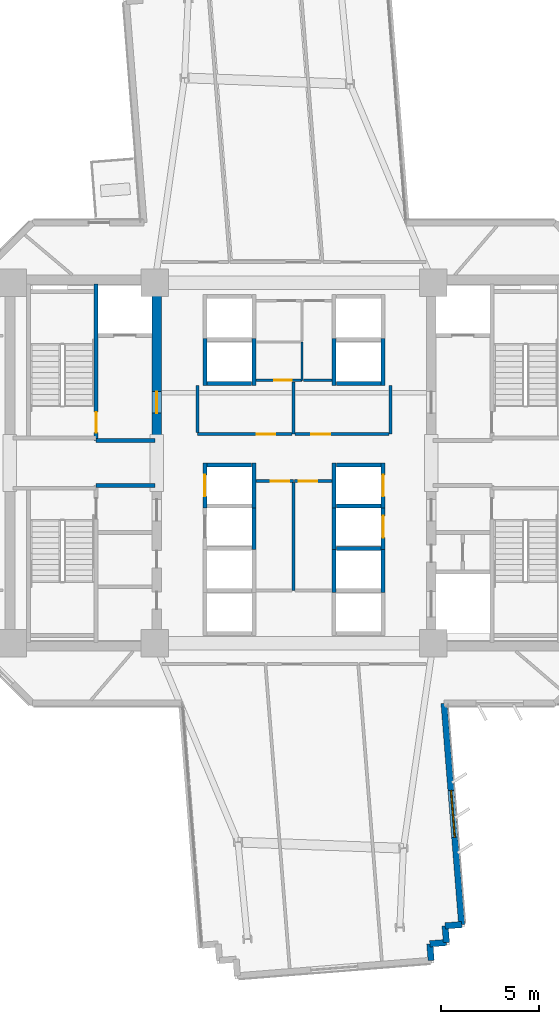
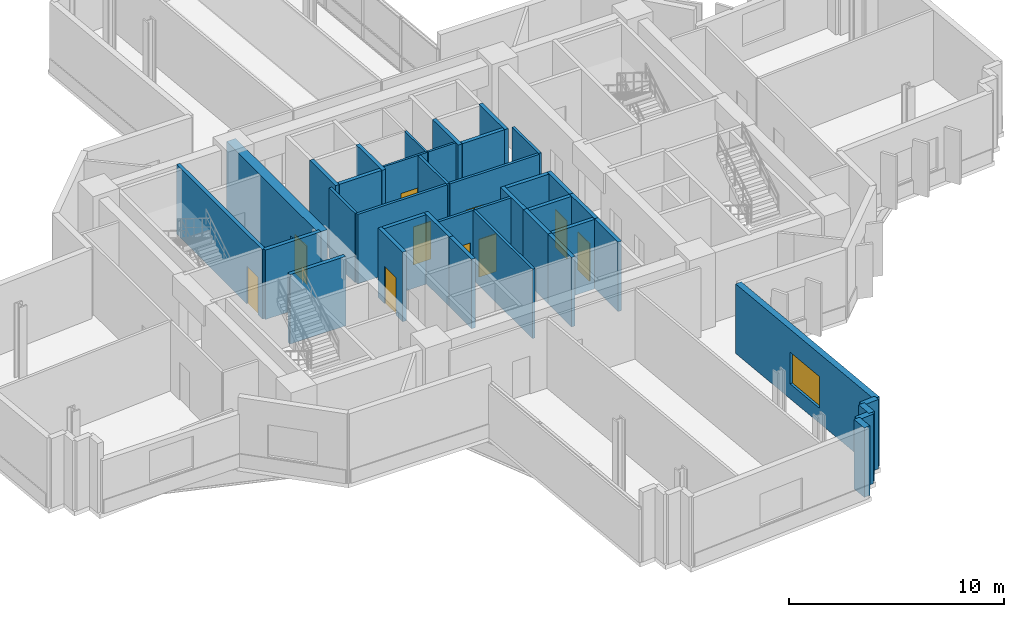
# One storey, part 7 of 15: 39 walls, 10 doors, 1 window, 11 openings.
"""IFC4 building model written with IfcOpenShell, lengths in metres."""

from ifc_helpers import new_model, si_unit, direction, frame, frame_2d, origin, place, context, subcontext, project, spatial, rectangle, extrude, source, transform, mapped, material, layer, layer_set, type_object, element, fill, save


model = new_model("IFC4")

# Units and contexts
model_context = context("Model", 3, precision=1e-05, world=origin(), true_north=direction((0.0, 1.0)))
body_context = subcontext(model_context, "Body", "Model", "MODEL_VIEW")
ifc_project = project(units=[si_unit("LENGTHUNIT", "METRE"), si_unit("AREAUNIT", "SQUARE_METRE"), si_unit("VOLUMEUNIT", "CUBIC_METRE"), si_unit("PLANEANGLEUNIT", "RADIAN"), si_unit("MASSUNIT", "GRAM", prefix="KILO")], contexts=[model_context])

# Site, building, storey
site_placement = place(None, origin())
site = spatial("IfcSite", under=ifc_project, at=site_placement, CompositionType="ELEMENT")
building_placement = place(site_placement, origin())
building = spatial("IfcBuilding", under=site, at=building_placement, Name="Zahravan Cultural Tower", CompositionType="ELEMENT")
storey_placement = place(building_placement, frame((0.0, 0.0, 83.699951171875)))
storey = spatial("IfcBuildingStorey", under=building, at=storey_placement, Name="L18", CompositionType="ELEMENT", Elevation=83.699951171875)

# Wall, opening, door
ifc_material_1 = material(Name="Concrete C60/75", Category="concrete")
ifc_layer_1 = layer(ifc_material_1, 0.5)
ifc_layer_set_1 = layer_set([ifc_layer_1], Name="Concrete C60/75")
wall_type_1 = type_object("IfcWallType", Name="CW-SHEAR-500-C60", PredefinedType="SHEAR", material=ifc_layer_set_1)
wall_1_placement = place(storey_placement, frame((29.0, 28.050048828125, 0.0), z_axis=(0.0, 0.0, 1.0), x_axis=(0.0, 1.0, 0.0)))
wall_1 = element("IfcWall", 1, at=wall_1_placement, inside=storey, type_object=wall_type_1, Name="L18 Core Shear Wall CW-W-EN-L18", PredefinedType="SHEAR", context=body_context, shape_type="SweptSolid", body=[
    extrude(rectangle(XDim=8.550048828125, YDim=0.5, at=frame_2d((4.27490234375, 0.0))), origin(), (0.0, 0.0, 1.0), 3.949951171875),
])
opening_1_placement = place(wall_1_placement, frame((1.5, 0.0, 0.0)))
opening_1 = element("IfcOpeningElement", 2, at=opening_1_placement, cuts=wall_1, Name="Opening D-L18-05", PredefinedType="OPENING", context=body_context, shape_type="SweptSolid", body=[
    extrude(rectangle(XDim=1.10009765625, YDim=2.199951171875, at=frame_2d((0.550048828125, 1.10009765625))), frame((0.0, 0.260009765625, 0.0), z_axis=(0.0, -1.0, 0.0), x_axis=(1.0, 0.0, 0.0)), (0.0, 0.0, 1.0), 0.52001953125),
])
ifc_material_2 = material(Name="Steel ASTM A572 Grade 50", Category="steel")
door_type_1 = type_object("IfcDoorType", Name="DR-LOBBY-1100", OperationType="NOTDEFINED", PredefinedType="DOOR", material=ifc_material_2)
shared_shape_1 = source(origin(), body_context, "Body", "SweptSolid", [
    extrude(rectangle(XDim=1.10009765625, YDim=2.199951171875, at=frame_2d((0.550048828125, 1.10009765625))), frame((0.0, 0.02490234375, 0.0), z_axis=(0.0, -1.0, 0.0), x_axis=(1.0, 0.0, 0.0)), (0.0, 0.0, 1.0), 0.050048828125),
])
door_1_placement = place(opening_1_placement, origin())
door_1 = element("IfcDoor", 3, at=door_1_placement, inside=storey, type_object=door_type_1, Name="L18 Door D-L18-05", OperationType="SINGLE_SWING_RIGHT", OverallHeight=2.199951171875, OverallWidth=1.10009765625, PredefinedType="DOOR", context=body_context, shape_type="MappedRepresentation", body=[
    mapped(shared_shape_1, transform((0.0, 0.0, 0.0), x_axis=(1.0, 0.0, 0.0), y_axis=(0.0, 1.0, 0.0), z_axis=(0.0, 0.0, 1.0), scale=1.0)),
])
fill(opening_1, door_1)

# Wall, opening, window
ifc_material_3 = material(Name="Precast concrete C40/50", Category="concrete")
ifc_layer_2 = layer(ifc_material_3, 0.320068359375)
ifc_layer_set_2 = layer_set([ifc_layer_2], Name="Precast concrete C40/50")
wall_type_2 = type_object("IfcWallType", Name="EW-TC-320", PredefinedType="SOLIDWALL", material=ifc_layer_set_2)
wall_2_placement = place(storey_placement, frame((43.658935546875, 14.739990234375, 0.0), z_axis=(0.0, 0.0, 1.0), x_axis=(0.079512268319, -0.996833887459, 0.0)))
wall_2 = element("IfcWall", 4, at=wall_2_placement, inside=storey, type_object=wall_type_2, Name="L18 Exterior Masonry Frame Wall 15", PredefinedType="SOLIDWALL", context=body_context, shape_type="SweptSolid", body=[
    extrude(rectangle(XDim=11.330078125, YDim=0.320068359375, at=frame_2d((5.6650390625, 0.0))), origin(), (0.0, 0.0, 1.0), 3.949951171875),
])
opening_2_placement = place(wall_2_placement, frame((4.465087890625, 0.0, 0.85009765625)))
opening_2 = element("IfcOpeningElement", 5, at=opening_2_placement, cuts=wall_2, Name="Opening WN-01", PredefinedType="OPENING", context=body_context, shape_type="SweptSolid", body=[
    extrude(rectangle(XDim=2.39990234375, YDim=1.800048828125, at=frame_2d((1.199951171875, 0.89990234375))), frame((0.0, 0.169921875, 0.0), z_axis=(0.0, -1.0, 0.0), x_axis=(1.0, 0.0, 0.0)), (0.0, 0.0, 1.0), 0.340087890625),
])
ifc_material_4 = material(Name="Low-E solar-control double glazing", Category="glass")
window_type = type_object("IfcWindowType", Name="WN-REC-2400X1800", PartitioningType="DOUBLE_PANEL_VERTICAL", PredefinedType="WINDOW", material=ifc_material_4)
shared_shape_2 = source(origin(), body_context, "Body", "SweptSolid", [
    extrude(rectangle(XDim=2.39990234375, YDim=1.800048828125, at=frame_2d((1.199951171875, 0.89990234375))), frame((0.0, 0.030029296875, 0.0), z_axis=(0.0, -1.0, 0.0), x_axis=(1.0, 0.0, 0.0)), (0.0, 0.0, 1.0), 0.06005859375),
])
window_placement = place(opening_2_placement, origin())
window = element("IfcWindow", 6, at=window_placement, inside=storey, type_object=window_type, Name="L18 Recessed Solar Window 05", OverallHeight=1.800048828125, OverallWidth=2.39990234375, PartitioningType="DOUBLE_PANEL_VERTICAL", PredefinedType="WINDOW", context=body_context, shape_type="MappedRepresentation", body=[
    mapped(shared_shape_2, transform((0.0, 0.0, 0.0), x_axis=(1.0, 0.0, 0.0), y_axis=(0.0, 1.0, 0.0), z_axis=(0.0, 0.0, 1.0), scale=1.0)),
])
fill(opening_2, window)

# Wall, opening, door
ifc_material_5 = material(Name="Gypsum plasterboard partition")
ifc_layer_3 = layer(ifc_material_5, 0.139892578125)
ifc_layer_set_3 = layer_set([ifc_layer_3], Name="Gypsum plasterboard partition")
wall_type_3 = type_object("IfcWallType", Name="W-PART-140", PredefinedType="PARTITIONING", material=ifc_layer_set_3)
wall_3_placement = place(storey_placement, frame((34.054931640625, 26.080078125, 0.0), z_axis=(0.0, 0.0, 1.0), x_axis=(1.0, 0.0, 0.0)))
wall_3 = element("IfcWall", 7, at=wall_3_placement, inside=storey, type_object=wall_type_3, Name="L18 Interior Wall 075", PredefinedType="PARTITIONING", context=body_context, shape_type="SweptSolid", body=[
    extrude(rectangle(XDim=1.9150390625, YDim=0.139892578125, at=frame_2d((0.95751953125, 0.0))), origin(), (0.0, 0.0, 1.0), 3.949951171875),
])
opening_3_placement = place(wall_3_placement, frame((0.752685546875, 0.0, 0.0)))
opening_3 = element("IfcOpeningElement", 8, at=opening_3_placement, cuts=wall_3, Name="Opening D-L18-15", PredefinedType="OPENING", context=body_context, shape_type="SweptSolid", body=[
    extrude(rectangle(XDim=0.949951171875, YDim=2.14990234375, at=frame_2d((0.47509765625, 1.074951171875))), frame((0.0, 0.079833984375, 0.0), z_axis=(0.0, -1.0, 0.0), x_axis=(1.0, 0.0, 0.0)), (0.0, 0.0, 1.0), 0.159912109375),
])
ifc_material_6 = material(Name="Anodised bronze-aluminium mullion", Category="aluminium")
door_type_2 = type_object("IfcDoorType", Name="DR-ROOM-950", OperationType="NOTDEFINED", PredefinedType="DOOR", material=ifc_material_6)
shared_shape_3 = source(origin(), body_context, "Body", "SweptSolid", [
    extrude(rectangle(XDim=0.949951171875, YDim=2.14990234375, at=frame_2d((0.47509765625, 1.074951171875))), frame((0.0, 0.02490234375, 0.0), z_axis=(0.0, -1.0, 0.0), x_axis=(1.0, 0.0, 0.0)), (0.0, 0.0, 1.0), 0.050048828125),
])
door_2_placement = place(opening_3_placement, origin())
door_2 = element("IfcDoor", 9, at=door_2_placement, inside=storey, type_object=door_type_2, Name="L18 Door D-L18-15", OperationType="SINGLE_SWING_RIGHT", OverallHeight=2.14990234375, OverallWidth=0.949951171875, PredefinedType="DOOR", context=body_context, shape_type="MappedRepresentation", body=[
    mapped(shared_shape_3, transform((0.0, 0.0, 0.0), x_axis=(1.0, 0.0, 0.0), y_axis=(0.0, 1.0, 0.0), z_axis=(0.0, 0.0, 1.0), scale=1.0)),
])
fill(opening_3, door_2)

wall_4_placement = place(storey_placement, frame((36.030029296875, 26.080078125, 0.0), z_axis=(0.0, 0.0, 1.0), x_axis=(1.0, 0.0, 0.0)))
wall_4 = element("IfcWall", 10, at=wall_4_placement, inside=storey, type_object=wall_type_3, Name="L18 Interior Wall 078", PredefinedType="PARTITIONING", context=body_context, shape_type="SweptSolid", body=[
    extrude(rectangle(XDim=1.9150390625, YDim=0.139892578125, at=frame_2d((0.95751953125, 0.0))), origin(), (0.0, 0.0, 1.0), 3.949951171875),
])
opening_4_placement = place(wall_4_placement, frame((0.21240234375, 0.0, 0.0)))
opening_4 = element("IfcOpeningElement", 11, at=opening_4_placement, cuts=wall_4, Name="Opening D-L18-16", PredefinedType="OPENING", context=body_context, shape_type="SweptSolid", body=[
    extrude(rectangle(XDim=0.949951171875, YDim=2.14990234375, at=frame_2d((0.47509765625, 1.074951171875))), frame((0.0, 0.079833984375, 0.0), z_axis=(0.0, -1.0, 0.0), x_axis=(1.0, 0.0, 0.0)), (0.0, 0.0, 1.0), 0.159912109375),
])
door_3_placement = place(opening_4_placement, origin())
door_3 = element("IfcDoor", 12, at=door_3_placement, inside=storey, type_object=door_type_2, Name="L18 Door D-L18-16", OperationType="SINGLE_SWING_LEFT", OverallHeight=2.14990234375, OverallWidth=0.949951171875, PredefinedType="DOOR", context=body_context, shape_type="MappedRepresentation", body=[
    mapped(shared_shape_3, transform((0.0, 0.0, 0.0), x_axis=(1.0, 0.0, 0.0), y_axis=(0.0, 1.0, 0.0), z_axis=(0.0, 0.0, 1.0), scale=1.0)),
])
fill(opening_4, door_3)

wall_5_placement = place(storey_placement, frame((35.89501953125, 28.47998046875, 0.0), z_axis=(0.0, 0.0, 1.0), x_axis=(-1.0, 0.0, 0.0)))
wall_5 = element("IfcWall", 13, at=wall_5_placement, inside=storey, type_object=wall_type_3, Name="L18 Interior Wall 081", PredefinedType="PARTITIONING", context=body_context, shape_type="SweptSolid", body=[
    extrude(rectangle(XDim=4.81494140625, YDim=0.139892578125, at=frame_2d((2.407470703125, 0.0))), origin(), (0.0, 0.0, 1.0), 3.949951171875),
])
opening_5_placement = place(wall_5_placement, frame((0.850341796875, 0.0, 0.0)))
opening_5 = element("IfcOpeningElement", 14, at=opening_5_placement, cuts=wall_5, Name="Opening D-L18-17", PredefinedType="OPENING", context=body_context, shape_type="SweptSolid", body=[
    extrude(rectangle(XDim=0.949951171875, YDim=2.14990234375, at=frame_2d((0.47509765625, 1.074951171875))), frame((0.0, 0.079833984375, 0.0), z_axis=(0.0, -1.0, 0.0), x_axis=(1.0, 0.0, 0.0)), (0.0, 0.0, 1.0), 0.159912109375),
])
door_4_placement = place(opening_5_placement, origin())
door_4 = element("IfcDoor", 15, at=door_4_placement, inside=storey, type_object=door_type_2, Name="L18 Door D-L18-17", OperationType="SINGLE_SWING_RIGHT", OverallHeight=2.14990234375, OverallWidth=0.949951171875, PredefinedType="DOOR", context=body_context, shape_type="MappedRepresentation", body=[
    mapped(shared_shape_3, transform((0.0, 0.0, 0.0), x_axis=(1.0, 0.0, 0.0), y_axis=(0.0, 1.0, 0.0), z_axis=(0.0, 0.0, 1.0), scale=1.0)),
])
fill(opening_5, door_4)

wall_6_placement = place(storey_placement, frame((40.844970703125, 28.47998046875, 0.0), z_axis=(0.0, 0.0, 1.0), x_axis=(-1.0, 0.0, 0.0)))
wall_6 = element("IfcWall", 16, at=wall_6_placement, inside=storey, type_object=wall_type_3, Name="L18 Interior Wall 084", PredefinedType="PARTITIONING", context=body_context, shape_type="SweptSolid", body=[
    extrude(rectangle(XDim=4.800048828125, YDim=0.139892578125, at=frame_2d((2.39990234375, 0.0))), origin(), (0.0, 0.0, 1.0), 3.949951171875),
])
opening_6_placement = place(wall_6_placement, frame((3.0029296875, 0.0, 0.0)))
opening_6 = element("IfcOpeningElement", 17, at=opening_6_placement, cuts=wall_6, Name="Opening D-L18-18", PredefinedType="OPENING", context=body_context, shape_type="SweptSolid", body=[
    extrude(rectangle(XDim=0.949951171875, YDim=2.14990234375, at=frame_2d((0.47509765625, 1.074951171875))), frame((0.0, 0.079833984375, 0.0), z_axis=(0.0, -1.0, 0.0), x_axis=(1.0, 0.0, 0.0)), (0.0, 0.0, 1.0), 0.159912109375),
])
door_5_placement = place(opening_6_placement, origin())
door_5 = element("IfcDoor", 18, at=door_5_placement, inside=storey, type_object=door_type_2, Name="L18 Door D-L18-18", OperationType="SINGLE_SWING_LEFT", OverallHeight=2.14990234375, OverallWidth=0.949951171875, PredefinedType="DOOR", context=body_context, shape_type="MappedRepresentation", body=[
    mapped(shared_shape_3, transform((0.0, 0.0, 0.0), x_axis=(1.0, 0.0, 0.0), y_axis=(0.0, 1.0, 0.0), z_axis=(0.0, 0.0, 1.0), scale=1.0)),
])
fill(opening_6, door_5)

ifc_material_7 = material(Name="Concrete C45/55", Category="concrete")
ifc_layer_4 = layer(ifc_material_7, 0.199951171875)
ifc_layer_set_4 = layer_set([ifc_layer_4], Name="Concrete C45/55")
wall_type_4 = type_object("IfcWallType", Name="W-SHAFT-200", PredefinedType="SOLIDWALL", material=ifc_layer_set_4)
wall_7_placement = place(storey_placement, frame((25.89990234375, 28.14990234375, 0.0), z_axis=(0.0, 0.0, 1.0), x_axis=(0.0, 1.0, 0.0)))
wall_7 = element("IfcWall", 19, at=wall_7_placement, inside=storey, type_object=wall_type_4, Name="L18 Interior Wall 006", PredefinedType="SOLIDWALL", context=body_context, shape_type="SweptSolid", body=[
    extrude(rectangle(XDim=8.0, YDim=0.199951171875, at=frame_2d((4.0, 0.0))), origin(), (0.0, 0.0, 1.0), 3.949951171875),
])
opening_7_placement = place(wall_7_placement, frame((0.39990234375, 0.0, 0.0)))
opening_7 = element("IfcOpeningElement", 20, at=opening_7_placement, cuts=wall_7, Name="Opening D-L18-01", PredefinedType="OPENING", context=body_context, shape_type="SweptSolid", body=[
    extrude(rectangle(XDim=1.050048828125, YDim=2.14990234375, at=frame_2d((0.52490234375, 1.074951171875))), frame((0.0, 0.10986328125, 0.0), z_axis=(0.0, -1.0, 0.0), x_axis=(1.0, 0.0, 0.0)), (0.0, 0.0, 1.0), 0.219970703125),
])
door_type_3 = type_object("IfcDoorType", Name="DR-STAIR-1050", OperationType="NOTDEFINED", PredefinedType="DOOR", material=ifc_material_2)
shared_shape_4 = source(origin(), body_context, "Body", "SweptSolid", [
    extrude(rectangle(XDim=1.050048828125, YDim=2.14990234375, at=frame_2d((0.52490234375, 1.074951171875))), frame((0.0, 0.02490234375, 0.0), z_axis=(0.0, -1.0, 0.0), x_axis=(1.0, 0.0, 0.0)), (0.0, 0.0, 1.0), 0.050048828125),
])
door_6_placement = place(opening_7_placement, origin())
door_6 = element("IfcDoor", 21, at=door_6_placement, inside=storey, type_object=door_type_3, Name="L18 Door D-L18-01", OperationType="SINGLE_SWING_RIGHT", OverallHeight=2.14990234375, OverallWidth=1.050048828125, PredefinedType="DOOR", context=body_context, shape_type="MappedRepresentation", body=[
    mapped(shared_shape_4, transform((0.0, 0.0, 0.0), x_axis=(1.0, 0.0, 0.0), y_axis=(0.0, 1.0, 0.0), z_axis=(0.0, 0.0, 1.0), scale=1.0)),
])
fill(opening_7, door_6)

wall_8_placement = place(storey_placement, frame((31.449951171875, 24.699951171875, 0.0), z_axis=(0.0, 0.0, 1.0), x_axis=(0.0, 1.0, 0.0)))
wall_8 = element("IfcWall", 22, at=wall_8_placement, inside=storey, type_object=wall_type_4, Name="L18 Interior Wall 056", PredefinedType="SOLIDWALL", context=body_context, shape_type="SweptSolid", body=[
    extrude(rectangle(XDim=2.300048828125, YDim=0.199951171875, at=frame_2d((1.14990234375, 0.0))), origin(), (0.0, 0.0, 1.0), 3.949951171875),
])
opening_8_placement = place(wall_8_placement, frame((0.60009765625, 0.0, 0.0)))
opening_8 = element("IfcOpeningElement", 23, at=opening_8_placement, cuts=wall_8, Name="Opening LD-L18-04", PredefinedType="OPENING", context=body_context, shape_type="SweptSolid", body=[
    extrude(rectangle(XDim=1.10009765625, YDim=2.14990234375, at=frame_2d((0.550048828125, 1.074951171875))), frame((0.0, 0.10986328125, 0.0), z_axis=(0.0, -1.0, 0.0), x_axis=(1.0, 0.0, 0.0)), (0.0, 0.0, 1.0), 0.219970703125),
])
door_type_4 = type_object("IfcDoorType", Name="DR-LIFT-1100", OperationType="DOUBLE_DOOR_SLIDING", PredefinedType="DOOR", material=ifc_material_2)
shared_shape_5 = source(origin(), body_context, "Body", "SweptSolid", [
    extrude(rectangle(XDim=1.10009765625, YDim=2.14990234375, at=frame_2d((0.550048828125, 1.074951171875))), frame((0.0, 0.02490234375, 0.0), z_axis=(0.0, -1.0, 0.0), x_axis=(1.0, 0.0, 0.0)), (0.0, 0.0, 1.0), 0.050048828125),
])
door_7_placement = place(opening_8_placement, origin())
door_7 = element("IfcDoor", 24, at=door_7_placement, inside=storey, type_object=door_type_4, Name="L18 Door LD-L18-04", OperationType="DOUBLE_DOOR_SLIDING", OverallHeight=2.14990234375, OverallWidth=1.10009765625, PredefinedType="DOOR", context=body_context, shape_type="MappedRepresentation", body=[
    mapped(shared_shape_5, transform((0.0, 0.0, 0.0), x_axis=(1.0, 0.0, 0.0), y_axis=(0.0, 1.0, 0.0), z_axis=(0.0, 0.0, 1.0), scale=1.0)),
])
fill(opening_8, door_7)

wall_9_placement = place(storey_placement, frame((40.550048828125, 24.699951171875, 0.0), z_axis=(0.0, 0.0, 1.0), x_axis=(0.0, 1.0, 0.0)))
wall_9 = element("IfcWall", 25, at=wall_9_placement, inside=storey, type_object=wall_type_4, Name="L18 Interior Wall 063", PredefinedType="SOLIDWALL", context=body_context, shape_type="SweptSolid", body=[
    extrude(rectangle(XDim=2.300048828125, YDim=0.199951171875, at=frame_2d((1.14990234375, 0.0))), origin(), (0.0, 0.0, 1.0), 3.949951171875),
])
opening_9_placement = place(wall_9_placement, frame((0.60009765625, 0.0, 0.0)))
opening_9 = element("IfcOpeningElement", 26, at=opening_9_placement, cuts=wall_9, Name="Opening LD-L18-06", PredefinedType="OPENING", context=body_context, shape_type="SweptSolid", body=[
    extrude(rectangle(XDim=1.10009765625, YDim=2.14990234375, at=frame_2d((0.550048828125, 1.074951171875))), frame((0.0, 0.10986328125, 0.0), z_axis=(0.0, -1.0, 0.0), x_axis=(1.0, 0.0, 0.0)), (0.0, 0.0, 1.0), 0.219970703125),
])
door_8_placement = place(opening_9_placement, origin())
door_8 = element("IfcDoor", 27, at=door_8_placement, inside=storey, type_object=door_type_4, Name="L18 Door LD-L18-06", OperationType="DOUBLE_DOOR_SLIDING", OverallHeight=2.14990234375, OverallWidth=1.10009765625, PredefinedType="DOOR", context=body_context, shape_type="MappedRepresentation", body=[
    mapped(shared_shape_5, transform((0.0, 0.0, 0.0), x_axis=(1.0, 0.0, 0.0), y_axis=(0.0, 1.0, 0.0), z_axis=(0.0, 0.0, 1.0), scale=1.0)),
])
fill(opening_9, door_8)

wall_10_placement = place(storey_placement, frame((40.550048828125, 22.60009765625, 0.0), z_axis=(0.0, 0.0, 1.0), x_axis=(0.0, 1.0, 0.0)))
wall_10 = element("IfcWall", 28, at=wall_10_placement, inside=storey, type_object=wall_type_4, Name="L18 Interior Wall 067", PredefinedType="SOLIDWALL", context=body_context, shape_type="SweptSolid", body=[
    extrude(rectangle(XDim=2.2998046875, YDim=0.199951171875, at=frame_2d((1.14990234375, 0.0))), origin(), (0.0, 0.0, 1.0), 3.949951171875),
])
opening_10_placement = place(wall_10_placement, frame((0.60009765625, 0.0, 0.0)))
opening_10 = element("IfcOpeningElement", 29, at=opening_10_placement, cuts=wall_10, Name="Opening LD-L18-07", PredefinedType="OPENING", context=body_context, shape_type="SweptSolid", body=[
    extrude(rectangle(XDim=1.10009765625, YDim=2.14990234375, at=frame_2d((0.550048828125, 1.074951171875))), frame((0.0, 0.10986328125, 0.0), z_axis=(0.0, -1.0, 0.0), x_axis=(1.0, 0.0, 0.0)), (0.0, 0.0, 1.0), 0.219970703125),
])
door_9_placement = place(opening_10_placement, origin())
door_9 = element("IfcDoor", 30, at=door_9_placement, inside=storey, type_object=door_type_4, Name="L18 Door LD-L18-07", OperationType="DOUBLE_DOOR_SLIDING", OverallHeight=2.14990234375, OverallWidth=1.10009765625, PredefinedType="DOOR", context=body_context, shape_type="MappedRepresentation", body=[
    mapped(shared_shape_5, transform((0.0, 0.0, 0.0), x_axis=(1.0, 0.0, 0.0), y_axis=(0.0, 1.0, 0.0), z_axis=(0.0, 0.0, 1.0), scale=1.0)),
])
fill(opening_10, door_9)

ifc_layer_5 = layer(ifc_material_5, 0.114990234375)
ifc_layer_set_5 = layer_set([ifc_layer_5], Name="Gypsum plasterboard partition")
wall_type_5 = type_object("IfcWallType", Name="W-WC-115", PredefinedType="PARTITIONING", material=ifc_layer_set_5)
wall_11_placement = place(storey_placement, frame((36.409912109375, 31.219970703125, 0.0), z_axis=(0.0, 0.0, 1.0), x_axis=(-1.0, 0.0, 0.0)))
wall_11 = element("IfcWall", 31, at=wall_11_placement, inside=storey, type_object=wall_type_5, Name="L18 Interior Wall 068", PredefinedType="PARTITIONING", context=body_context, shape_type="SweptSolid", body=[
    extrude(rectangle(XDim=2.35498046875, YDim=0.114990234375, at=frame_2d((1.177490234375, 0.0))), origin(), (0.0, 0.0, 1.0), 3.949951171875),
])
opening_11_placement = place(wall_11_placement, frame((0.5166015625, 0.0, 0.0)))
opening_11 = element("IfcOpeningElement", 32, at=opening_11_placement, cuts=wall_11, Name="Opening D-L18-29", PredefinedType="OPENING", context=body_context, shape_type="SweptSolid", body=[
    extrude(rectangle(XDim=0.89990234375, YDim=2.10009765625, at=frame_2d((0.449951171875, 1.050048828125))), frame((0.0, 0.0673828125, 0.0), z_axis=(0.0, -1.0, 0.0), x_axis=(1.0, 0.0, 0.0)), (0.0, 0.0, 1.0), 0.135009765625),
])
door_type_5 = type_object("IfcDoorType", Name="DR-WC-900", OperationType="NOTDEFINED", PredefinedType="DOOR", material=ifc_material_6)
shared_shape_6 = source(origin(), body_context, "Body", "SweptSolid", [
    extrude(rectangle(XDim=0.89990234375, YDim=2.10009765625, at=frame_2d((0.449951171875, 1.050048828125))), frame((0.0, 0.02490234375, 0.0), z_axis=(0.0, -1.0, 0.0), x_axis=(1.0, 0.0, 0.0)), (0.0, 0.0, 1.0), 0.050048828125),
])
door_10_placement = place(opening_11_placement, origin())
door_10 = element("IfcDoor", 33, at=door_10_placement, inside=storey, type_object=door_type_5, Name="L18 Door D-L18-29", OperationType="SINGLE_SWING_RIGHT", OverallHeight=2.10009765625, OverallWidth=0.89990234375, PredefinedType="DOOR", context=body_context, shape_type="MappedRepresentation", body=[
    mapped(shared_shape_6, transform((0.0, 0.0, 0.0), x_axis=(1.0, 0.0, 0.0), y_axis=(0.0, 1.0, 0.0), z_axis=(0.0, 0.0, 1.0), scale=1.0)),
])
fill(opening_11, door_10)

# Walls
shared_shape_7 = source(origin(), body_context, "Body", "SweptSolid", [
    extrude(rectangle(XDim=0.849853515625, YDim=0.320068359375, at=frame_2d((0.4248046875, 0.0))), origin(), (0.0, 0.0, 1.0), 3.949951171875),
])
wall_12_placement = place(storey_placement, frame((42.9326171875, 2.46337890625, 0.0), z_axis=(0.0, 0.0, 1.0), x_axis=(0.079573954853, -0.996828965123, 0.0)))
element("IfcWall", 34, at=wall_12_placement, inside=storey, type_object=wall_type_2, Name="L18 Exterior Masonry Frame Wall 19", PredefinedType="SOLIDWALL", context=body_context, shape_type="MappedRepresentation", body=[
    mapped(shared_shape_7, transform((0.0, 0.0, 0.0), x_axis=(1.0, 0.0, 0.0), y_axis=(0.0, 1.0, 0.0), z_axis=(0.0, 0.0, 1.0), scale=1.0)),
])
shared_shape_8 = source(origin(), body_context, "Body", "SweptSolid", [
    extrude(rectangle(XDim=0.85009765625, YDim=0.320068359375, at=frame_2d((0.425048828125, 0.0))), origin(), (0.0, 0.0, 1.0), 3.949951171875),
])
for number, where, z_axis, x_axis, name in (
    (35, (44.559814453125, 3.44580078125, 0.0), (0.0, 0.0, 1.0), (-0.99685351678, -0.079265793901, 0.0), "L18 Exterior Masonry Frame Wall 16"),
    (36, (43.71240234375, 3.37841796875, 0.0), (0.0, 0.0, 1.0), (0.079551174585, -0.996830783344, 0.0), "L18 Exterior Masonry Frame Wall 17"),
    (37, (43.780029296875, 2.531005859375, 0.0), (0.0, 0.0, 1.0), (-0.996830783344, -0.079551174585, 0.0), "L18 Exterior Masonry Frame Wall 18"),
):
    element("IfcWall", number, at=place(storey_placement, frame(where, z_axis=z_axis, x_axis=x_axis)), inside=storey, type_object=wall_type_2, Name=name, PredefinedType="SOLIDWALL", context=body_context, shape_type="MappedRepresentation", body=[
        mapped(shared_shape_8, transform((0.0, 0.0, 0.0), x_axis=(1.0, 0.0, 0.0), y_axis=(0.0, 1.0, 0.0), z_axis=(0.0, 0.0, 1.0), scale=1.0)),
    ])
shared_shape_9 = source(origin(), body_context, "Body", "SweptSolid", [
    extrude(rectangle(XDim=3.0, YDim=0.199951171875, at=frame_2d((1.5, 0.0))), origin(), (0.0, 0.0, 1.0), 3.949951171875),
])
for number, where, z_axis, x_axis, name in (
    (38, (25.89990234375, 25.85009765625, 0.0), (0.0, 0.0, 1.0), (1.0, 0.0, 0.0), "L18 Interior Wall 010"),
    (39, (25.89990234375, 28.14990234375, 0.0), (0.0, 0.0, 1.0), (1.0, 0.0, 0.0), "L18 Interior Wall 012"),
):
    element("IfcWall", number, at=place(storey_placement, frame(where, z_axis=z_axis, x_axis=x_axis)), inside=storey, type_object=wall_type_4, Name=name, PredefinedType="SOLIDWALL", context=body_context, shape_type="MappedRepresentation", body=[
        mapped(shared_shape_9, transform((0.0, 0.0, 0.0), x_axis=(1.0, 0.0, 0.0), y_axis=(0.0, 1.0, 0.0), z_axis=(0.0, 0.0, 1.0), scale=1.0)),
    ])
shared_shape_10 = source(origin(), body_context, "Body", "SweptSolid", [
    extrude(rectangle(XDim=2.400146484375, YDim=0.199951171875, at=frame_2d((1.2001953125, 0.0))), origin(), (0.0, 0.0, 1.0), 3.949951171875),
])
for number, where, z_axis, x_axis, name in (
    (40, (31.449951171875, 30.949951171875, 0.0), (0.0, 0.0, 1.0), (0.0, 1.0, 0.0), "L18 Interior Wall 032"),
    (41, (33.949951171875, 30.949951171875, 0.0), (0.0, 0.0, 1.0), (0.0, 1.0, 0.0), "L18 Interior Wall 033"),
    (42, (38.050048828125, 30.949951171875, 0.0), (0.0, 0.0, 1.0), (0.0, 1.0, 0.0), "L18 Interior Wall 039"),
    (43, (40.550048828125, 30.949951171875, 0.0), (0.0, 0.0, 1.0), (0.0, 1.0, 0.0), "L18 Interior Wall 040"),
):
    element("IfcWall", number, at=place(storey_placement, frame(where, z_axis=z_axis, x_axis=x_axis)), inside=storey, type_object=wall_type_4, Name=name, PredefinedType="SOLIDWALL", context=body_context, shape_type="MappedRepresentation", body=[
        mapped(shared_shape_10, transform((0.0, 0.0, 0.0), x_axis=(1.0, 0.0, 0.0), y_axis=(0.0, 1.0, 0.0), z_axis=(0.0, 0.0, 1.0), scale=1.0)),
    ])
shared_shape_11 = source(origin(), body_context, "Body", "SweptSolid", [
    extrude(rectangle(XDim=2.260009765625, YDim=0.199951171875, at=frame_2d((1.1298828125, 0.0))), origin(), (0.0, 0.0, 1.0), 3.949951171875),
])
for number, where, z_axis, x_axis, name in (
    (44, (31.570068359375, 31.050048828125, 0.0), (0.0, 0.0, 1.0), (1.0, 0.0, 0.0), "L18 Interior Wall 034"),
    (45, (38.169921875, 31.050048828125, 0.0), (0.0, 0.0, 1.0), (1.0, 0.0, 0.0), "L18 Interior Wall 041"),
    (46, (38.169921875, 22.64990234375, 0.0), (0.0, 0.0, 1.0), (1.0, 0.0, 0.0), "L18 Interior Wall 052"),
    (47, (31.570068359375, 26.89990234375, 0.0), (0.0, 0.0, 1.0), (1.0, 0.0, 0.0), "L18 Interior Wall 059"),
    (48, (38.169921875, 24.800048828125, 0.0), (0.0, 0.0, 1.0), (1.0, 0.0, 0.0), "L18 Interior Wall 064"),
    (49, (38.169921875, 26.89990234375, 0.0), (0.0, 0.0, 1.0), (1.0, 0.0, 0.0), "L18 Interior Wall 065"),
):
    element("IfcWall", number, at=place(storey_placement, frame(where, z_axis=z_axis, x_axis=x_axis)), inside=storey, type_object=wall_type_4, Name=name, PredefinedType="SOLIDWALL", context=body_context, shape_type="MappedRepresentation", body=[
        mapped(shared_shape_11, transform((0.0, 0.0, 0.0), x_axis=(1.0, 0.0, 0.0), y_axis=(0.0, 1.0, 0.0), z_axis=(0.0, 0.0, 1.0), scale=1.0)),
    ])
shared_shape_12 = source(origin(), body_context, "Body", "SweptSolid", [
    extrude(rectangle(XDim=2.35009765625, YDim=0.199951171875, at=frame_2d((1.175048828125, 0.0))), origin(), (0.0, 0.0, 1.0), 3.949951171875),
])
for number, where, z_axis, x_axis, name in (
    (50, (38.050048828125, 20.39990234375, 0.0), (0.0, 0.0, 1.0), (0.0, 1.0, 0.0), "L18 Interior Wall 049"),
    (51, (40.550048828125, 20.39990234375, 0.0), (0.0, 0.0, 1.0), (0.0, 1.0, 0.0), "L18 Interior Wall 050"),
):
    element("IfcWall", number, at=place(storey_placement, frame(where, z_axis=z_axis, x_axis=x_axis)), inside=storey, type_object=wall_type_4, Name=name, PredefinedType="SOLIDWALL", context=body_context, shape_type="MappedRepresentation", body=[
        mapped(shared_shape_12, transform((0.0, 0.0, 0.0), x_axis=(1.0, 0.0, 0.0), y_axis=(0.0, 1.0, 0.0), z_axis=(0.0, 0.0, 1.0), scale=1.0)),
    ])
shared_shape_13 = source(origin(), body_context, "Body", "SweptSolid", [
    extrude(rectangle(XDim=2.300048828125, YDim=0.199951171875, at=frame_2d((1.14990234375, 0.0))), origin(), (0.0, 0.0, 1.0), 3.949951171875),
])
for number, where, z_axis, x_axis, name in (
    (52, (33.949951171875, 24.699951171875, 0.0), (0.0, 0.0, 1.0), (0.0, 1.0, 0.0), "L18 Interior Wall 057"),
    (53, (38.050048828125, 24.699951171875, 0.0), (0.0, 0.0, 1.0), (0.0, 1.0, 0.0), "L18 Interior Wall 062"),
):
    element("IfcWall", number, at=place(storey_placement, frame(where, z_axis=z_axis, x_axis=x_axis)), inside=storey, type_object=wall_type_4, Name=name, PredefinedType="SOLIDWALL", context=body_context, shape_type="MappedRepresentation", body=[
        mapped(shared_shape_13, transform((0.0, 0.0, 0.0), x_axis=(1.0, 0.0, 0.0), y_axis=(0.0, 1.0, 0.0), z_axis=(0.0, 0.0, 1.0), scale=1.0)),
    ])
shared_shape_14 = source(origin(), body_context, "Body", "SweptSolid", [
    extrude(rectangle(XDim=2.2998046875, YDim=0.199951171875, at=frame_2d((1.14990234375, 0.0))), origin(), (0.0, 0.0, 1.0), 3.949951171875),
])
for number, where, z_axis, x_axis, name in (
    (54, (33.949951171875, 22.60009765625, 0.0), (0.0, 0.0, 1.0), (0.0, 1.0, 0.0), "L18 Interior Wall 061"),
    (55, (38.050048828125, 22.60009765625, 0.0), (0.0, 0.0, 1.0), (0.0, 1.0, 0.0), "L18 Interior Wall 066"),
):
    element("IfcWall", number, at=place(storey_placement, frame(where, z_axis=z_axis, x_axis=x_axis)), inside=storey, type_object=wall_type_4, Name=name, PredefinedType="SOLIDWALL", context=body_context, shape_type="MappedRepresentation", body=[
        mapped(shared_shape_14, transform((0.0, 0.0, 0.0), x_axis=(1.0, 0.0, 0.0), y_axis=(0.0, 1.0, 0.0), z_axis=(0.0, 0.0, 1.0), scale=1.0)),
    ])
shared_shape_15 = source(origin(), body_context, "Body", "SweptSolid", [
    extrude(rectangle(XDim=2.469970703125, YDim=0.139892578125, at=frame_2d((1.23486328125, 0.0))), origin(), (0.0, 0.0, 1.0), 3.949951171875),
])
wall_13_placement = place(storey_placement, frame((40.919921875, 30.949951171875, 0.0), z_axis=(0.0, 0.0, 1.0), x_axis=(0.0, -1.0, 0.0)))
element("IfcWall", 56, at=wall_13_placement, inside=storey, type_object=wall_type_3, Name="L18 Interior Wall 083", PredefinedType="PARTITIONING", context=body_context, shape_type="MappedRepresentation", body=[
    mapped(shared_shape_15, transform((0.0, 0.0, 0.0), x_axis=(1.0, 0.0, 0.0), y_axis=(0.0, 1.0, 0.0), z_axis=(0.0, 0.0, 1.0), scale=1.0)),
])
shared_shape_16 = source(origin(), body_context, "Body", "SweptSolid", [
    extrude(rectangle(XDim=2.39501953125, YDim=0.139892578125, at=frame_2d((1.197509765625, 0.0))), origin(), (0.0, 0.0, 1.0), 3.949951171875),
])
wall_14_placement = place(storey_placement, frame((31.080078125, 28.554931640625, 0.0), z_axis=(0.0, 0.0, 1.0), x_axis=(0.0, 1.0, 0.0)))
element("IfcWall", 57, at=wall_14_placement, inside=storey, type_object=wall_type_3, Name="L18 Interior Wall 082", PredefinedType="PARTITIONING", context=body_context, shape_type="MappedRepresentation", body=[
    mapped(shared_shape_16, transform((0.0, 0.0, 0.0), x_axis=(1.0, 0.0, 0.0), y_axis=(0.0, 1.0, 0.0), z_axis=(0.0, 0.0, 1.0), scale=1.0)),
])
shared_shape_17 = source(origin(), body_context, "Body", "SweptSolid", [
    extrude(rectangle(XDim=1.9599609375, YDim=0.114990234375, at=frame_2d((0.97998046875, 0.0))), origin(), (0.0, 0.0, 1.0), 3.949951171875),
])
wall_15_placement = place(storey_placement, frame((36.409912109375, 33.179931640625, 0.0), z_axis=(0.0, 0.0, 1.0), x_axis=(0.0, -1.0, 0.0)))
element("IfcWall", 58, at=wall_15_placement, inside=storey, type_object=wall_type_5, Name="L18 Interior Wall 070", PredefinedType="PARTITIONING", context=body_context, shape_type="MappedRepresentation", body=[
    mapped(shared_shape_17, transform((0.0, 0.0, 0.0), x_axis=(1.0, 0.0, 0.0), y_axis=(0.0, 1.0, 0.0), z_axis=(0.0, 0.0, 1.0), scale=1.0)),
])
shared_shape_18 = source(origin(), body_context, "Body", "SweptSolid", [
    extrude(rectangle(XDim=1.47265625, YDim=0.114990234375, at=frame_2d((0.736328125, 0.0))), origin(), (0.0, 0.0, 1.0), 3.949951171875),
])
wall_16_placement = place(storey_placement, frame((37.945068359375, 31.219970703125, 0.0), z_axis=(0.0, 0.0, 1.0), x_axis=(-1.0, 0.0, 0.0)))
element("IfcWall", 59, at=wall_16_placement, inside=storey, type_object=wall_type_5, Name="L18 Interior Wall 073", PredefinedType="PARTITIONING", context=body_context, shape_type="MappedRepresentation", body=[
    mapped(shared_shape_18, transform((0.0, 0.0, 0.0), x_axis=(1.0, 0.0, 0.0), y_axis=(0.0, 1.0, 0.0), z_axis=(0.0, 0.0, 1.0), scale=1.0)),
])
shared_shape_19 = source(origin(), body_context, "Body", "SweptSolid", [
    extrude(rectangle(XDim=5.514892578125, YDim=0.139892578125, at=frame_2d((2.75732421875, 0.0))), origin(), (0.0, 0.0, 1.0), 3.949951171875),
])
wall_17_placement = place(storey_placement, frame((35.969970703125, 26.0048828125, 0.0), z_axis=(0.0, 0.0, 1.0), x_axis=(0.0, -1.0, 0.0)))
element("IfcWall", 60, at=wall_17_placement, inside=storey, type_object=wall_type_3, Name="L18 Interior Wall 076", PredefinedType="PARTITIONING", context=body_context, shape_type="MappedRepresentation", body=[
    mapped(shared_shape_19, transform((0.0, 0.0, 0.0), x_axis=(1.0, 0.0, 0.0), y_axis=(0.0, 1.0, 0.0), z_axis=(0.0, 0.0, 1.0), scale=1.0)),
])
shared_shape_20 = source(origin(), body_context, "Body", "SweptSolid", [
    extrude(rectangle(XDim=2.659912109375, YDim=0.139892578125, at=frame_2d((1.330078125, 0.0))), origin(), (0.0, 0.0, 1.0), 3.949951171875),
])
wall_18_placement = place(storey_placement, frame((35.969970703125, 31.139892578125, 0.0), z_axis=(0.0, 0.0, 1.0), x_axis=(0.0, -1.0, 0.0)))
element("IfcWall", 61, at=wall_18_placement, inside=storey, type_object=wall_type_3, Name="L18 Interior Wall 080", PredefinedType="PARTITIONING", context=body_context, shape_type="MappedRepresentation", body=[
    mapped(shared_shape_20, transform((0.0, 0.0, 0.0), x_axis=(1.0, 0.0, 0.0), y_axis=(0.0, 1.0, 0.0), z_axis=(0.0, 0.0, 1.0), scale=1.0)),
])

save(model, "model.ifc")
